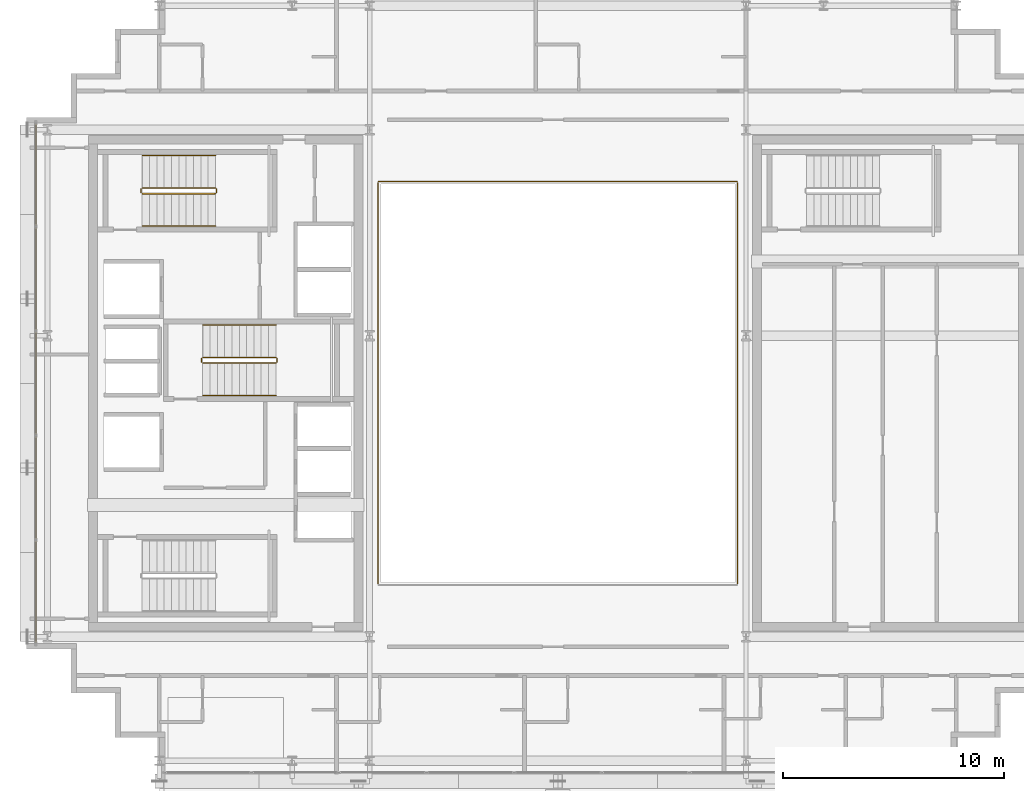
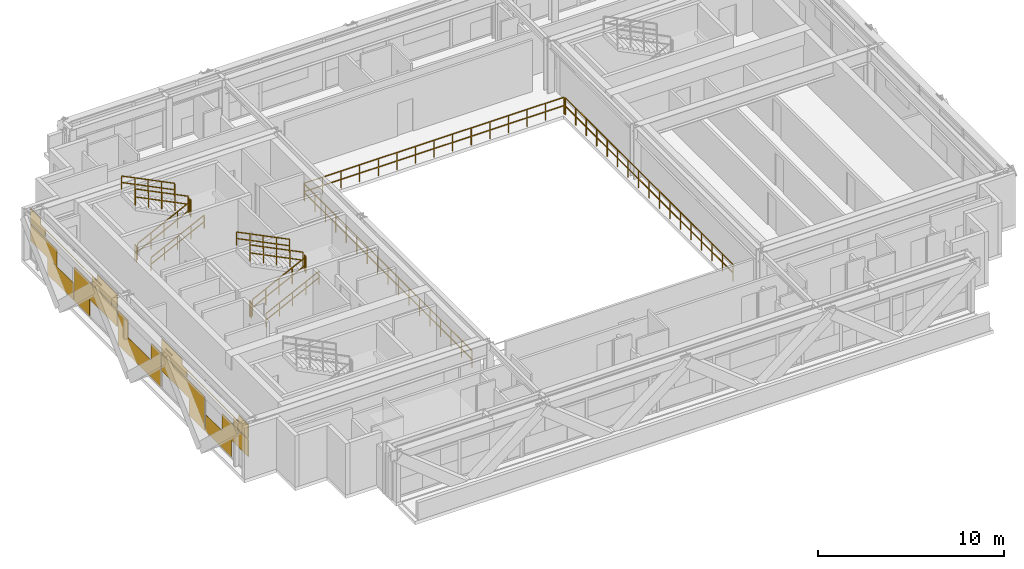
# One storey, part 25 of 27: 15 railings, 1 covering.
"""IFC4 building model written with IfcOpenShell, lengths in metres."""

from ifc_helpers import new_model, si_unit, direction, frame, origin, origin_2d, place, context, subcontext, project, spatial, rectangle, extrude, material, layer, layer_set, type_object, element, save


model = new_model("IFC4")

# Units and contexts
model_context = context("Model", 3, precision=1e-05, world=origin(), true_north=direction((0.0, 1.0)))
body_context = subcontext(model_context, "Body", "Model", "MODEL_VIEW")
ifc_project = project(units=[si_unit("LENGTHUNIT", "METRE"), si_unit("AREAUNIT", "SQUARE_METRE"), si_unit("VOLUMEUNIT", "CUBIC_METRE"), si_unit("PLANEANGLEUNIT", "RADIAN"), si_unit("MASSUNIT", "GRAM", prefix="KILO")], contexts=[model_context])

# Site, building, storey
site_placement = place(None, origin())
site = spatial("IfcSite", under=ifc_project, at=site_placement, CompositionType="ELEMENT")
building_placement = place(site_placement, origin())
building = spatial("IfcBuilding", under=site, at=building_placement, Name="Ocotamira Hotel", CompositionType="ELEMENT")
storey_placement = place(building_placement, frame((0.0, 0.0, 232.800048828125)))
storey = spatial("IfcBuildingStorey", under=building, at=storey_placement, Name="L58", CompositionType="ELEMENT", Elevation=232.800048828125)

# Covering
ifc_material_1 = material(Name="Insulated pale-metal aluminium spandrel panel", Category="aluminium")
ifc_layer = layer(ifc_material_1, 0.044921875)
ifc_layer_set = layer_set([ifc_layer], Name="Insulated pale-metal aluminium spandrel panel")
covering_type = type_object("IfcCoveringType", Name="COV-INFILL-45", PredefinedType="CLADDING", material=ifc_layer_set)
covering_placement = place(storey_placement, origin())
element("IfcCovering", 1, at=covering_placement, inside=storey, type_object=covering_type, Name="L58 Curtain Wall Infill CW-5 CW-L58-W", PredefinedType="CLADDING", context=body_context, shape_type="SweptSolid", body=[
    extrude(rectangle(XDim=2.831787109375, YDim=0.044921875, at=origin_2d()), frame((8.419921875, 15.6962890625, 1.19384765625), z_axis=(0.0, 0.0, 1.0), x_axis=(0.0, 1.0, 0.0)), (0.0, 0.0, 1.0), 1.117919921875),
    extrude(rectangle(XDim=2.786376953125, YDim=0.044921875, at=origin_2d()), frame((8.419921875, 17.486328125, 0.0751953125), z_axis=(0.0, 0.0, 1.0), x_axis=(0.0, 1.0, 0.0)), (0.0, 0.0, 1.0), 1.117919921875),
    extrude(rectangle(XDim=1.56640625, YDim=0.044921875, at=origin_2d()), frame((8.419921875, 15.063720703125, 2.387939453125), z_axis=(0.0, 0.0, 1.0), x_axis=(0.0, 1.0, 0.0)), (0.0, 0.0, 1.0), 0.4697265625),
    extrude(rectangle(XDim=4.59912109375, YDim=0.044921875, at=origin_2d()), frame((8.419921875, 16.580078125, 2.858642578125), z_axis=(0.0, 0.0, 1.0), x_axis=(0.0, 1.0, 0.0)), (0.0, 0.0, 1.0), 0.033203125),
    extrude(rectangle(XDim=1.03076171875, YDim=0.044921875, at=origin_2d()), frame((8.419921875, 14.7958984375, 2.892822265625), z_axis=(0.0, 0.0, 1.0), x_axis=(0.0, 1.0, 0.0)), (0.0, 0.0, 1.0), 0.41162109375),
    extrude(rectangle(XDim=1.6796875, YDim=0.044921875, at=origin_2d()), frame((8.419921875, 19.80029296875, 0.0751953125), z_axis=(0.0, 0.0, 1.0), x_axis=(0.0, 1.0, 0.0)), (0.0, 0.0, 1.0), 1.117919921875),
    extrude(rectangle(XDim=4.638916015625, YDim=0.044921875, at=origin_2d()), frame((8.419921875, 21.280029296875, 1.19384765625), z_axis=(0.0, 0.0, 1.0), x_axis=(0.0, 1.0, 0.0)), (0.0, 0.0, 1.0), 1.117919921875),
    extrude(rectangle(XDim=4.638916015625, YDim=0.044921875, at=origin_2d()), frame((8.419921875, 21.280029296875, 2.858642578125), z_axis=(0.0, 0.0, 1.0), x_axis=(0.0, 1.0, 0.0)), (0.0, 0.0, 1.0), 0.033203125),
    extrude(rectangle(XDim=2.712890625, YDim=0.044921875, at=origin_2d()), frame((8.419921875, 22.242919921875, 2.387939453125), z_axis=(0.0, 0.0, 1.0), x_axis=(0.0, 1.0, 0.0)), (0.0, 0.0, 1.0), 0.4697265625),
    extrude(rectangle(XDim=2.177490234375, YDim=0.044921875, at=origin_2d()), frame((8.419921875, 22.5107421875, 2.892822265625), z_axis=(0.0, 0.0, 1.0), x_axis=(0.0, 1.0, 0.0)), (0.0, 0.0, 1.0), 0.41162109375),
    extrude(rectangle(XDim=4.638916015625, YDim=0.044921875, at=origin_2d()), frame((8.419921875, 26.0, 0.0751953125), z_axis=(0.0, 0.0, 1.0), x_axis=(0.0, 1.0, 0.0)), (0.0, 0.0, 1.0), 1.117919921875),
    extrude(rectangle(XDim=1.065185546875, YDim=0.044921875, at=origin_2d()), frame((8.419921875, 24.213134765625, 1.19384765625), z_axis=(0.0, 0.0, 1.0), x_axis=(0.0, 1.0, 0.0)), (0.0, 0.0, 1.0), 1.117919921875),
    extrude(rectangle(XDim=1.065185546875, YDim=0.044921875, at=origin_2d()), frame((8.419921875, 27.786865234375, 1.19384765625), z_axis=(0.0, 0.0, 1.0), x_axis=(0.0, 1.0, 0.0)), (0.0, 0.0, 1.0), 1.117919921875),
    extrude(rectangle(XDim=4.638916015625, YDim=0.044921875, at=origin_2d()), frame((8.419921875, 30.719970703125, 1.19384765625), z_axis=(0.0, 0.0, 1.0), x_axis=(0.0, 1.0, 0.0)), (0.0, 0.0, 1.0), 1.117919921875),
    extrude(rectangle(XDim=1.6796875, YDim=0.044921875, at=origin_2d()), frame((8.419921875, 32.19970703125, 0.0751953125), z_axis=(0.0, 0.0, 1.0), x_axis=(0.0, 1.0, 0.0)), (0.0, 0.0, 1.0), 1.117919921875),
    extrude(rectangle(XDim=2.712890625, YDim=0.044921875, at=origin_2d()), frame((8.419921875, 29.757080078125, 2.387939453125), z_axis=(0.0, 0.0, 1.0), x_axis=(0.0, 1.0, 0.0)), (0.0, 0.0, 1.0), 0.4697265625),
    extrude(rectangle(XDim=4.638916015625, YDim=0.044921875, at=origin_2d()), frame((8.419921875, 30.719970703125, 2.858642578125), z_axis=(0.0, 0.0, 1.0), x_axis=(0.0, 1.0, 0.0)), (0.0, 0.0, 1.0), 0.033203125),
    extrude(rectangle(XDim=2.177490234375, YDim=0.044921875, at=origin_2d()), frame((8.419921875, 29.4892578125, 2.892822265625), z_axis=(0.0, 0.0, 1.0), x_axis=(0.0, 1.0, 0.0)), (0.0, 0.0, 1.0), 0.41162109375),
    extrude(rectangle(XDim=2.786376953125, YDim=0.044921875, at=origin_2d()), frame((8.419921875, 34.513671875, 0.0751953125), z_axis=(0.0, 0.0, 1.0), x_axis=(0.0, 1.0, 0.0)), (0.0, 0.0, 1.0), 1.117919921875),
    extrude(rectangle(XDim=2.831787109375, YDim=0.044921875, at=origin_2d()), frame((8.419921875, 36.3037109375, 1.19384765625), z_axis=(0.0, 0.0, 1.0), x_axis=(0.0, 1.0, 0.0)), (0.0, 0.0, 1.0), 1.117919921875),
    extrude(rectangle(XDim=4.59912109375, YDim=0.044921875, at=origin_2d()), frame((8.419921875, 35.419921875, 2.858642578125), z_axis=(0.0, 0.0, 1.0), x_axis=(0.0, 1.0, 0.0)), (0.0, 0.0, 1.0), 0.033203125),
    extrude(rectangle(XDim=1.56640625, YDim=0.044921875, at=origin_2d()), frame((8.419921875, 36.936279296875, 2.387939453125), z_axis=(0.0, 0.0, 1.0), x_axis=(0.0, 1.0, 0.0)), (0.0, 0.0, 1.0), 0.4697265625),
    extrude(rectangle(XDim=1.03076171875, YDim=0.044921875, at=origin_2d()), frame((8.419921875, 37.2041015625, 2.892822265625), z_axis=(0.0, 0.0, 1.0), x_axis=(0.0, 1.0, 0.0)), (0.0, 0.0, 1.0), 0.41162109375),
])

# Railings
ifc_material_2 = material(Name="Painted steel stair guardrail", Category="steel")
railing_type_1 = type_object("IfcRailingType", Name="RL-EDGE-1150", PredefinedType="GUARDRAIL", material=ifc_material_2)
railing_1_placement = place(storey_placement, frame((40.1201171875, 16.9599609375, 0.0)))
element("IfcRailing", 2, at=railing_1_placement, inside=storey, type_object=railing_type_1, Name="L58 Central Atrium Edge Guardrail E", PredefinedType="GUARDRAIL", context=body_context, shape_type="SweptSolid", body=[
    extrude(rectangle(XDim=0.048095703125, YDim=0.048095703125, at=origin_2d()), frame((0.0, 0.0, 1.1259765625), z_axis=(0.0, 1.0, 0.0), x_axis=(-1.0, 0.0, 0.0)), (0.0, 0.0, 1.0), 18.080078125),
    extrude(rectangle(XDim=0.048095703125, YDim=0.048095703125, at=origin_2d()), frame((0.0, 0.0, 0.574951171875), z_axis=(0.0, 1.0, 0.0), x_axis=(-1.0, 0.0, 0.0)), (0.0, 0.0, 1.0), 18.080078125),
    extrude(rectangle(XDim=0.0419921875, YDim=0.0419921875, at=origin_2d()), origin(), (0.0, 0.0, 1.0), 1.101806640625),
    extrude(rectangle(XDim=0.0419921875, YDim=0.0419921875, at=origin_2d()), frame((0.0, 1.1298828125, 0.0)), (0.0, 0.0, 1.0), 1.101806640625),
    extrude(rectangle(XDim=0.0419921875, YDim=0.0419921875, at=origin_2d()), frame((0.0, 2.260009765625, 0.0)), (0.0, 0.0, 1.0), 1.101806640625),
    extrude(rectangle(XDim=0.0419921875, YDim=0.0419921875, at=origin_2d()), frame((0.0, 3.39013671875, 0.0)), (0.0, 0.0, 1.0), 1.101806640625),
    extrude(rectangle(XDim=0.0419921875, YDim=0.0419921875, at=origin_2d()), frame((0.0, 4.52001953125, 0.0)), (0.0, 0.0, 1.0), 1.101806640625),
    extrude(rectangle(XDim=0.0419921875, YDim=0.0419921875, at=origin_2d()), frame((0.0, 5.64990234375, 0.0)), (0.0, 0.0, 1.0), 1.101806640625),
    extrude(rectangle(XDim=0.0419921875, YDim=0.0419921875, at=origin_2d()), frame((0.0, 6.780029296875, 0.0)), (0.0, 0.0, 1.0), 1.101806640625),
    extrude(rectangle(XDim=0.0419921875, YDim=0.0419921875, at=origin_2d()), frame((0.0, 7.91015625, 0.0)), (0.0, 0.0, 1.0), 1.101806640625),
    extrude(rectangle(XDim=0.0419921875, YDim=0.0419921875, at=origin_2d()), frame((0.0, 9.0400390625, 0.0)), (0.0, 0.0, 1.0), 1.101806640625),
    extrude(rectangle(XDim=0.0419921875, YDim=0.0419921875, at=origin_2d()), frame((0.0, 10.169921875, 0.0)), (0.0, 0.0, 1.0), 1.101806640625),
    extrude(rectangle(XDim=0.0419921875, YDim=0.0419921875, at=origin_2d()), frame((0.0, 11.300048828125, 0.0)), (0.0, 0.0, 1.0), 1.101806640625),
    extrude(rectangle(XDim=0.0419921875, YDim=0.0419921875, at=origin_2d()), frame((0.0, 12.43017578125, 0.0)), (0.0, 0.0, 1.0), 1.101806640625),
    extrude(rectangle(XDim=0.0419921875, YDim=0.0419921875, at=origin_2d()), frame((0.0, 13.56005859375, 0.0)), (0.0, 0.0, 1.0), 1.101806640625),
    extrude(rectangle(XDim=0.0419921875, YDim=0.0419921875, at=origin_2d()), frame((0.0, 14.68994140625, 0.0)), (0.0, 0.0, 1.0), 1.101806640625),
    extrude(rectangle(XDim=0.0419921875, YDim=0.0419921875, at=origin_2d()), frame((0.0, 15.820068359375, 0.0)), (0.0, 0.0, 1.0), 1.101806640625),
    extrude(rectangle(XDim=0.0419921875, YDim=0.0419921875, at=origin_2d()), frame((0.0, 16.9501953125, 0.0)), (0.0, 0.0, 1.0), 1.101806640625),
    extrude(rectangle(XDim=0.0419921875, YDim=0.0419921875, at=origin_2d()), frame((0.0, 18.080078125, 0.0)), (0.0, 0.0, 1.0), 1.101806640625),
])
railing_2_placement = place(storey_placement, frame((40.10009765625, 35.1201171875, 0.0)))
element("IfcRailing", 3, at=railing_2_placement, inside=storey, type_object=railing_type_1, Name="L58 Central Atrium Edge Guardrail N", PredefinedType="GUARDRAIL", context=body_context, shape_type="SweptSolid", body=[
    extrude(rectangle(XDim=0.048095703125, YDim=0.048095703125, at=origin_2d()), frame((0.0, 0.0, 1.1259765625), z_axis=(-1.0, 0.0, 0.0), x_axis=(0.0, -1.0, 0.0)), (0.0, 0.0, 1.0), 16.2001953125),
    extrude(rectangle(XDim=0.048095703125, YDim=0.048095703125, at=origin_2d()), frame((0.0, 0.0, 0.574951171875), z_axis=(-1.0, 0.0, 0.0), x_axis=(0.0, -1.0, 0.0)), (0.0, 0.0, 1.0), 16.2001953125),
    extrude(rectangle(XDim=0.0419921875, YDim=0.0419921875, at=origin_2d()), origin(), (0.0, 0.0, 1.0), 1.101806640625),
    extrude(rectangle(XDim=0.0419921875, YDim=0.0419921875, at=origin_2d()), frame((-1.1572265625, 0.0, 0.0)), (0.0, 0.0, 1.0), 1.101806640625),
    extrude(rectangle(XDim=0.0419921875, YDim=0.0419921875, at=origin_2d()), frame((-2.314208984375, 0.0, 0.0)), (0.0, 0.0, 1.0), 1.101806640625),
    extrude(rectangle(XDim=0.0419921875, YDim=0.0419921875, at=origin_2d()), frame((-3.471435546875, 0.0, 0.0)), (0.0, 0.0, 1.0), 1.101806640625),
    extrude(rectangle(XDim=0.0419921875, YDim=0.0419921875, at=origin_2d()), frame((-4.628662109375, 0.0, 0.0)), (0.0, 0.0, 1.0), 1.101806640625),
    extrude(rectangle(XDim=0.0419921875, YDim=0.0419921875, at=origin_2d()), frame((-5.785888671875, 0.0, 0.0)), (0.0, 0.0, 1.0), 1.101806640625),
    extrude(rectangle(XDim=0.0419921875, YDim=0.0419921875, at=origin_2d()), frame((-6.94287109375, 0.0, 0.0)), (0.0, 0.0, 1.0), 1.101806640625),
    extrude(rectangle(XDim=0.0419921875, YDim=0.0419921875, at=origin_2d()), frame((-8.10009765625, 0.0, 0.0)), (0.0, 0.0, 1.0), 1.101806640625),
    extrude(rectangle(XDim=0.0419921875, YDim=0.0419921875, at=origin_2d()), frame((-9.25732421875, 0.0, 0.0)), (0.0, 0.0, 1.0), 1.101806640625),
    extrude(rectangle(XDim=0.0419921875, YDim=0.0419921875, at=origin_2d()), frame((-10.414306640625, 0.0, 0.0)), (0.0, 0.0, 1.0), 1.101806640625),
    extrude(rectangle(XDim=0.0419921875, YDim=0.0419921875, at=origin_2d()), frame((-11.571533203125, 0.0, 0.0)), (0.0, 0.0, 1.0), 1.101806640625),
    extrude(rectangle(XDim=0.0419921875, YDim=0.0419921875, at=origin_2d()), frame((-12.728759765625, 0.0, 0.0)), (0.0, 0.0, 1.0), 1.101806640625),
    extrude(rectangle(XDim=0.0419921875, YDim=0.0419921875, at=origin_2d()), frame((-13.885986328125, 0.0, 0.0)), (0.0, 0.0, 1.0), 1.101806640625),
    extrude(rectangle(XDim=0.0419921875, YDim=0.0419921875, at=origin_2d()), frame((-15.04296875, 0.0, 0.0)), (0.0, 0.0, 1.0), 1.101806640625),
    extrude(rectangle(XDim=0.0419921875, YDim=0.0419921875, at=origin_2d()), frame((-16.2001953125, 0.0, 0.0)), (0.0, 0.0, 1.0), 1.101806640625),
])
railing_3_placement = place(storey_placement, frame((23.8798828125, 35.0400390625, 0.0)))
element("IfcRailing", 4, at=railing_3_placement, inside=storey, type_object=railing_type_1, Name="L58 Central Atrium Edge Guardrail W", PredefinedType="GUARDRAIL", context=body_context, shape_type="SweptSolid", body=[
    extrude(rectangle(XDim=0.048095703125, YDim=0.048095703125, at=origin_2d()), frame((0.0, 0.0, 1.1259765625), z_axis=(0.0, -1.0, 0.0), x_axis=(1.0, 0.0, 0.0)), (0.0, 0.0, 1.0), 18.080078125),
    extrude(rectangle(XDim=0.048095703125, YDim=0.048095703125, at=origin_2d()), frame((0.0, 0.0, 0.574951171875), z_axis=(0.0, -1.0, 0.0), x_axis=(1.0, 0.0, 0.0)), (0.0, 0.0, 1.0), 18.080078125),
    extrude(rectangle(XDim=0.0419921875, YDim=0.0419921875, at=origin_2d()), origin(), (0.0, 0.0, 1.0), 1.101806640625),
    extrude(rectangle(XDim=0.0419921875, YDim=0.0419921875, at=origin_2d()), frame((0.0, -1.1298828125, 0.0)), (0.0, 0.0, 1.0), 1.101806640625),
    extrude(rectangle(XDim=0.0419921875, YDim=0.0419921875, at=origin_2d()), frame((0.0, -2.260009765625, 0.0)), (0.0, 0.0, 1.0), 1.101806640625),
    extrude(rectangle(XDim=0.0419921875, YDim=0.0419921875, at=origin_2d()), frame((0.0, -3.39013671875, 0.0)), (0.0, 0.0, 1.0), 1.101806640625),
    extrude(rectangle(XDim=0.0419921875, YDim=0.0419921875, at=origin_2d()), frame((0.0, -4.52001953125, 0.0)), (0.0, 0.0, 1.0), 1.101806640625),
    extrude(rectangle(XDim=0.0419921875, YDim=0.0419921875, at=origin_2d()), frame((0.0, -5.64990234375, 0.0)), (0.0, 0.0, 1.0), 1.101806640625),
    extrude(rectangle(XDim=0.0419921875, YDim=0.0419921875, at=origin_2d()), frame((0.0, -6.780029296875, 0.0)), (0.0, 0.0, 1.0), 1.101806640625),
    extrude(rectangle(XDim=0.0419921875, YDim=0.0419921875, at=origin_2d()), frame((0.0, -7.91015625, 0.0)), (0.0, 0.0, 1.0), 1.101806640625),
    extrude(rectangle(XDim=0.0419921875, YDim=0.0419921875, at=origin_2d()), frame((0.0, -9.0400390625, 0.0)), (0.0, 0.0, 1.0), 1.101806640625),
    extrude(rectangle(XDim=0.0419921875, YDim=0.0419921875, at=origin_2d()), frame((0.0, -10.169921875, 0.0)), (0.0, 0.0, 1.0), 1.101806640625),
    extrude(rectangle(XDim=0.0419921875, YDim=0.0419921875, at=origin_2d()), frame((0.0, -11.300048828125, 0.0)), (0.0, 0.0, 1.0), 1.101806640625),
    extrude(rectangle(XDim=0.0419921875, YDim=0.0419921875, at=origin_2d()), frame((0.0, -12.43017578125, 0.0)), (0.0, 0.0, 1.0), 1.101806640625),
    extrude(rectangle(XDim=0.0419921875, YDim=0.0419921875, at=origin_2d()), frame((0.0, -13.56005859375, 0.0)), (0.0, 0.0, 1.0), 1.101806640625),
    extrude(rectangle(XDim=0.0419921875, YDim=0.0419921875, at=origin_2d()), frame((0.0, -14.68994140625, 0.0)), (0.0, 0.0, 1.0), 1.101806640625),
    extrude(rectangle(XDim=0.0419921875, YDim=0.0419921875, at=origin_2d()), frame((0.0, -15.820068359375, 0.0)), (0.0, 0.0, 1.0), 1.101806640625),
    extrude(rectangle(XDim=0.0419921875, YDim=0.0419921875, at=origin_2d()), frame((0.0, -16.9501953125, 0.0)), (0.0, 0.0, 1.0), 1.101806640625),
    extrude(rectangle(XDim=0.0419921875, YDim=0.0419921875, at=origin_2d()), frame((0.0, -18.080078125, 0.0)), (0.0, 0.0, 1.0), 1.101806640625),
])
ifc_material_3 = material(Name="Brushed stainless steel handrail", Category="steel")
railing_type_2 = type_object("IfcRailingType", Name="RL-HAND-900", PredefinedType="HANDRAIL", material=ifc_material_3)
railing_4_placement = place(storey_placement, frame((13.22998046875, 33.10009765625, 0.3271484375)))
element("IfcRailing", 5, at=railing_4_placement, inside=storey, type_object=railing_type_2, Name="L58 ST-2 stair handrail 1", PredefinedType="HANDRAIL", context=body_context, shape_type="SweptSolid", body=[
    extrude(rectangle(XDim=0.048095703125, YDim=0.048095703125, at=origin_2d()), frame((0.0, 0.0, 0.8759765625), z_axis=(0.895893744519, 0.0, 0.4442683857), x_axis=(0.0, 1.0, 0.0)), (0.0, 0.0, 1.0), 3.68359375),
    extrude(rectangle(XDim=0.048095703125, YDim=0.048095703125, at=origin_2d()), frame((0.0, 0.0, 0.449951171875), z_axis=(0.895893744519, 0.0, 0.4442683857), x_axis=(0.0, 1.0, 0.0)), (0.0, 0.0, 1.0), 3.68359375),
    extrude(rectangle(XDim=0.0419921875, YDim=0.0419921875, at=origin_2d()), origin(), (0.0, 0.0, 1.0), 0.851806640625),
    extrude(rectangle(XDim=0.0419921875, YDim=0.0419921875, at=origin_2d()), frame((0.824951171875, 0.0, 0.4091796875)), (0.0, 0.0, 1.0), 0.851806640625),
    extrude(rectangle(XDim=0.0419921875, YDim=0.0419921875, at=origin_2d()), frame((1.64990234375, 0.0, 0.818359375)), (0.0, 0.0, 1.0), 0.851806640625),
    extrude(rectangle(XDim=0.0419921875, YDim=0.0419921875, at=origin_2d()), frame((2.47509765625, 0.0, 1.227294921875)), (0.0, 0.0, 1.0), 0.851806640625),
    extrude(rectangle(XDim=0.0419921875, YDim=0.0419921875, at=origin_2d()), frame((3.300048828125, 0.0, 1.636474609375)), (0.0, 0.0, 1.0), 0.851806640625),
])
railing_5_placement = place(storey_placement, frame((16.530029296875, 36.280029296875, 2.127197265625)))
element("IfcRailing", 6, at=railing_5_placement, inside=storey, type_object=railing_type_2, Name="L58 ST-2 stair handrail 2", PredefinedType="HANDRAIL", context=body_context, shape_type="SweptSolid", body=[
    extrude(rectangle(XDim=0.048095703125, YDim=0.048095703125, at=origin_2d()), frame((0.0, 0.0, 0.8759765625), z_axis=(-0.895893744519, 0.0, 0.4442683857), x_axis=(0.0, -1.0, 0.0)), (0.0, 0.0, 1.0), 3.68359375),
    extrude(rectangle(XDim=0.048095703125, YDim=0.048095703125, at=origin_2d()), frame((0.0, 0.0, 0.449951171875), z_axis=(-0.895893744519, 0.0, 0.4442683857), x_axis=(0.0, -1.0, 0.0)), (0.0, 0.0, 1.0), 3.68359375),
    extrude(rectangle(XDim=0.0419921875, YDim=0.0419921875, at=origin_2d()), origin(), (0.0, 0.0, 1.0), 0.851806640625),
    extrude(rectangle(XDim=0.0419921875, YDim=0.0419921875, at=origin_2d()), frame((-0.824951171875, 0.0, 0.4091796875)), (0.0, 0.0, 1.0), 0.851806640625),
    extrude(rectangle(XDim=0.0419921875, YDim=0.0419921875, at=origin_2d()), frame((-1.64990234375, 0.0, 0.818359375)), (0.0, 0.0, 1.0), 0.851806640625),
    extrude(rectangle(XDim=0.0419921875, YDim=0.0419921875, at=origin_2d()), frame((-2.47509765625, 0.0, 1.227294921875)), (0.0, 0.0, 1.0), 0.851806640625),
    extrude(rectangle(XDim=0.0419921875, YDim=0.0419921875, at=origin_2d()), frame((-3.300048828125, 0.0, 1.636474609375)), (0.0, 0.0, 1.0), 0.851806640625),
])
railing_6_placement = place(storey_placement, frame((15.9599609375, 25.449951171875, 0.3271484375)))
element("IfcRailing", 7, at=railing_6_placement, inside=storey, type_object=railing_type_2, Name="L58 ST-3 stair handrail 1", PredefinedType="HANDRAIL", context=body_context, shape_type="SweptSolid", body=[
    extrude(rectangle(XDim=0.048095703125, YDim=0.048095703125, at=origin_2d()), frame((0.0, 0.0, 0.8759765625), z_axis=(0.895893744519, 0.0, 0.4442683857), x_axis=(0.0, 1.0, 0.0)), (0.0, 0.0, 1.0), 3.68359375),
    extrude(rectangle(XDim=0.048095703125, YDim=0.048095703125, at=origin_2d()), frame((0.0, 0.0, 0.449951171875), z_axis=(0.895893744519, 0.0, 0.4442683857), x_axis=(0.0, 1.0, 0.0)), (0.0, 0.0, 1.0), 3.68359375),
    extrude(rectangle(XDim=0.0419921875, YDim=0.0419921875, at=origin_2d()), origin(), (0.0, 0.0, 1.0), 0.851806640625),
    extrude(rectangle(XDim=0.0419921875, YDim=0.0419921875, at=origin_2d()), frame((0.824951171875, 0.0, 0.4091796875)), (0.0, 0.0, 1.0), 0.851806640625),
    extrude(rectangle(XDim=0.0419921875, YDim=0.0419921875, at=origin_2d()), frame((1.64990234375, 0.0, 0.818359375)), (0.0, 0.0, 1.0), 0.851806640625),
    extrude(rectangle(XDim=0.0419921875, YDim=0.0419921875, at=origin_2d()), frame((2.47509765625, 0.0, 1.227294921875)), (0.0, 0.0, 1.0), 0.851806640625),
    extrude(rectangle(XDim=0.0419921875, YDim=0.0419921875, at=origin_2d()), frame((3.300048828125, 0.0, 1.636474609375)), (0.0, 0.0, 1.0), 0.851806640625),
])
railing_7_placement = place(storey_placement, frame((19.260009765625, 28.6298828125, 2.127197265625)))
element("IfcRailing", 8, at=railing_7_placement, inside=storey, type_object=railing_type_2, Name="L58 ST-3 stair handrail 2", PredefinedType="HANDRAIL", context=body_context, shape_type="SweptSolid", body=[
    extrude(rectangle(XDim=0.048095703125, YDim=0.048095703125, at=origin_2d()), frame((0.0, 0.0, 0.8759765625), z_axis=(-0.895893744519, 0.0, 0.4442683857), x_axis=(0.0, -1.0, 0.0)), (0.0, 0.0, 1.0), 3.68359375),
    extrude(rectangle(XDim=0.048095703125, YDim=0.048095703125, at=origin_2d()), frame((0.0, 0.0, 0.449951171875), z_axis=(-0.895893744519, 0.0, 0.4442683857), x_axis=(0.0, -1.0, 0.0)), (0.0, 0.0, 1.0), 3.68359375),
    extrude(rectangle(XDim=0.0419921875, YDim=0.0419921875, at=origin_2d()), origin(), (0.0, 0.0, 1.0), 0.851806640625),
    extrude(rectangle(XDim=0.0419921875, YDim=0.0419921875, at=origin_2d()), frame((-0.824951171875, 0.0, 0.4091796875)), (0.0, 0.0, 1.0), 0.851806640625),
    extrude(rectangle(XDim=0.0419921875, YDim=0.0419921875, at=origin_2d()), frame((-1.64990234375, 0.0, 0.818359375)), (0.0, 0.0, 1.0), 0.851806640625),
    extrude(rectangle(XDim=0.0419921875, YDim=0.0419921875, at=origin_2d()), frame((-2.47509765625, 0.0, 1.227294921875)), (0.0, 0.0, 1.0), 0.851806640625),
    extrude(rectangle(XDim=0.0419921875, YDim=0.0419921875, at=origin_2d()), frame((-3.300048828125, 0.0, 1.636474609375)), (0.0, 0.0, 1.0), 0.851806640625),
])
railing_type_3 = type_object("IfcRailingType", Name="RL-STAIR-1100", PredefinedType="GUARDRAIL", material=ifc_material_2)
railing_8_placement = place(storey_placement, frame((13.22998046875, 34.56005859375, 0.16357421875)))
element("IfcRailing", 9, at=railing_8_placement, inside=storey, type_object=railing_type_3, Name="L58 ST-2 stair guard 1", PredefinedType="GUARDRAIL", context=body_context, shape_type="SweptSolid", body=[
    extrude(rectangle(XDim=0.048095703125, YDim=0.048095703125, at=origin_2d()), frame((0.0, 0.0, 1.076171875), z_axis=(0.895893744519, 0.0, 0.4442683857), x_axis=(0.0, 1.0, 0.0)), (0.0, 0.0, 1.0), 3.68359375),
    extrude(rectangle(XDim=0.048095703125, YDim=0.048095703125, at=origin_2d()), frame((0.0, 0.0, 0.550048828125), z_axis=(0.895893744519, 0.0, 0.4442683857), x_axis=(0.0, 1.0, 0.0)), (0.0, 0.0, 1.0), 3.68359375),
    extrude(rectangle(XDim=0.0419921875, YDim=0.0419921875, at=origin_2d()), origin(), (0.0, 0.0, 1.0), 1.052001953125),
    extrude(rectangle(XDim=0.0419921875, YDim=0.0419921875, at=origin_2d()), frame((0.824951171875, 0.0, 0.4091796875)), (0.0, 0.0, 1.0), 1.052001953125),
    extrude(rectangle(XDim=0.0419921875, YDim=0.0419921875, at=origin_2d()), frame((1.64990234375, 0.0, 0.818359375)), (0.0, 0.0, 1.0), 1.052001953125),
    extrude(rectangle(XDim=0.0419921875, YDim=0.0419921875, at=origin_2d()), frame((2.47509765625, 0.0, 1.227294921875)), (0.0, 0.0, 1.0), 1.052001953125),
    extrude(rectangle(XDim=0.0419921875, YDim=0.0419921875, at=origin_2d()), frame((3.300048828125, 0.0, 1.636474609375)), (0.0, 0.0, 1.0), 1.052001953125),
])
railing_9_placement = place(storey_placement, frame((16.580078125, 34.610107421875, 1.800048828125)))
element("IfcRailing", 10, at=railing_9_placement, inside=storey, type_object=railing_type_3, Name="L58 ST-2 stair guard 2", PredefinedType="GUARDRAIL", context=body_context, shape_type="SweptSolid", body=[
    extrude(rectangle(XDim=0.048095703125, YDim=0.048095703125, at=origin_2d()), frame((0.0, 0.0, 1.076171875), z_axis=(0.0, 1.0, 0.0), x_axis=(-1.0, 0.0, 0.0)), (0.0, 0.0, 1.0), 0.159912109375),
    extrude(rectangle(XDim=0.048095703125, YDim=0.048095703125, at=origin_2d()), frame((0.0, 0.0, 0.550048828125), z_axis=(0.0, 1.0, 0.0), x_axis=(-1.0, 0.0, 0.0)), (0.0, 0.0, 1.0), 0.159912109375),
    extrude(rectangle(XDim=0.0419921875, YDim=0.0419921875, at=origin_2d()), origin(), (0.0, 0.0, 1.0), 1.052001953125),
    extrude(rectangle(XDim=0.0419921875, YDim=0.0419921875, at=origin_2d()), frame((0.0, 0.159912109375, 0.0)), (0.0, 0.0, 1.0), 1.052001953125),
])
railing_10_placement = place(storey_placement, frame((16.530029296875, 34.820068359375, 1.963623046875)))
element("IfcRailing", 11, at=railing_10_placement, inside=storey, type_object=railing_type_3, Name="L58 ST-2 stair guard 3", PredefinedType="GUARDRAIL", context=body_context, shape_type="SweptSolid", body=[
    extrude(rectangle(XDim=0.048095703125, YDim=0.048095703125, at=origin_2d()), frame((0.0, 0.0, 1.076171875), z_axis=(-0.895920123917, 0.0, 0.444215186098), x_axis=(0.0, -1.0, 0.0)), (0.0, 0.0, 1.0), 3.683349609375),
    extrude(rectangle(XDim=0.048095703125, YDim=0.048095703125, at=origin_2d()), frame((0.0, 0.0, 0.550048828125), z_axis=(-0.895920123917, 0.0, 0.444215186098), x_axis=(0.0, -1.0, 0.0)), (0.0, 0.0, 1.0), 3.683349609375),
    extrude(rectangle(XDim=0.0419921875, YDim=0.0419921875, at=origin_2d()), origin(), (0.0, 0.0, 1.0), 1.052001953125),
    extrude(rectangle(XDim=0.0419921875, YDim=0.0419921875, at=origin_2d()), frame((-0.824951171875, 0.0, 0.4091796875)), (0.0, 0.0, 1.0), 1.052001953125),
    extrude(rectangle(XDim=0.0419921875, YDim=0.0419921875, at=origin_2d()), frame((-1.64990234375, 0.0, 0.818115234375)), (0.0, 0.0, 1.0), 1.052001953125),
    extrude(rectangle(XDim=0.0419921875, YDim=0.0419921875, at=origin_2d()), frame((-2.47509765625, 0.0, 1.22705078125)), (0.0, 0.0, 1.0), 1.052001953125),
    extrude(rectangle(XDim=0.0419921875, YDim=0.0419921875, at=origin_2d()), frame((-3.300048828125, 0.0, 1.63623046875)), (0.0, 0.0, 1.0), 1.052001953125),
])
railing_11_placement = place(storey_placement, frame((13.179931640625, 34.610107421875, 0.0)))
element("IfcRailing", 12, at=railing_11_placement, inside=storey, type_object=railing_type_3, Name="L58 ST-2 stair guard 4", PredefinedType="GUARDRAIL", context=body_context, shape_type="SweptSolid", body=[
    extrude(rectangle(XDim=0.048095703125, YDim=0.048095703125, at=origin_2d()), frame((0.0, 0.0, 1.076171875), z_axis=(0.0, 1.0, 0.0), x_axis=(-1.0, 0.0, 0.0)), (0.0, 0.0, 1.0), 0.159912109375),
    extrude(rectangle(XDim=0.048095703125, YDim=0.048095703125, at=origin_2d()), frame((0.0, 0.0, 0.550048828125), z_axis=(0.0, 1.0, 0.0), x_axis=(-1.0, 0.0, 0.0)), (0.0, 0.0, 1.0), 0.159912109375),
    extrude(rectangle(XDim=0.0419921875, YDim=0.0419921875, at=origin_2d()), origin(), (0.0, 0.0, 1.0), 1.052001953125),
    extrude(rectangle(XDim=0.0419921875, YDim=0.0419921875, at=origin_2d()), frame((0.0, 0.159912109375, 0.0)), (0.0, 0.0, 1.0), 1.052001953125),
])
railing_12_placement = place(storey_placement, frame((15.9599609375, 26.909912109375, 0.16357421875)))
element("IfcRailing", 13, at=railing_12_placement, inside=storey, type_object=railing_type_3, Name="L58 ST-3 stair guard 1", PredefinedType="GUARDRAIL", context=body_context, shape_type="SweptSolid", body=[
    extrude(rectangle(XDim=0.048095703125, YDim=0.048095703125, at=origin_2d()), frame((0.0, 0.0, 1.076171875), z_axis=(0.895893744519, 0.0, 0.4442683857), x_axis=(0.0, 1.0, 0.0)), (0.0, 0.0, 1.0), 3.68359375),
    extrude(rectangle(XDim=0.048095703125, YDim=0.048095703125, at=origin_2d()), frame((0.0, 0.0, 0.550048828125), z_axis=(0.895893744519, 0.0, 0.4442683857), x_axis=(0.0, 1.0, 0.0)), (0.0, 0.0, 1.0), 3.68359375),
    extrude(rectangle(XDim=0.0419921875, YDim=0.0419921875, at=origin_2d()), origin(), (0.0, 0.0, 1.0), 1.052001953125),
    extrude(rectangle(XDim=0.0419921875, YDim=0.0419921875, at=origin_2d()), frame((0.824951171875, 0.0, 0.4091796875)), (0.0, 0.0, 1.0), 1.052001953125),
    extrude(rectangle(XDim=0.0419921875, YDim=0.0419921875, at=origin_2d()), frame((1.64990234375, 0.0, 0.818359375)), (0.0, 0.0, 1.0), 1.052001953125),
    extrude(rectangle(XDim=0.0419921875, YDim=0.0419921875, at=origin_2d()), frame((2.47509765625, 0.0, 1.227294921875)), (0.0, 0.0, 1.0), 1.052001953125),
    extrude(rectangle(XDim=0.0419921875, YDim=0.0419921875, at=origin_2d()), frame((3.300048828125, 0.0, 1.636474609375)), (0.0, 0.0, 1.0), 1.052001953125),
])
railing_13_placement = place(storey_placement, frame((19.31005859375, 26.9599609375, 1.800048828125)))
element("IfcRailing", 14, at=railing_13_placement, inside=storey, type_object=railing_type_3, Name="L58 ST-3 stair guard 2", PredefinedType="GUARDRAIL", context=body_context, shape_type="SweptSolid", body=[
    extrude(rectangle(XDim=0.048095703125, YDim=0.048095703125, at=origin_2d()), frame((0.0, 0.0, 1.076171875), z_axis=(0.0, 1.0, 0.0), x_axis=(-1.0, 0.0, 0.0)), (0.0, 0.0, 1.0), 0.16015625),
    extrude(rectangle(XDim=0.048095703125, YDim=0.048095703125, at=origin_2d()), frame((0.0, 0.0, 0.550048828125), z_axis=(0.0, 1.0, 0.0), x_axis=(-1.0, 0.0, 0.0)), (0.0, 0.0, 1.0), 0.16015625),
    extrude(rectangle(XDim=0.0419921875, YDim=0.0419921875, at=origin_2d()), origin(), (0.0, 0.0, 1.0), 1.052001953125),
    extrude(rectangle(XDim=0.0419921875, YDim=0.0419921875, at=origin_2d()), frame((0.0, 0.16015625, 0.0)), (0.0, 0.0, 1.0), 1.052001953125),
])
railing_14_placement = place(storey_placement, frame((19.260009765625, 27.169921875, 1.963623046875)))
element("IfcRailing", 15, at=railing_14_placement, inside=storey, type_object=railing_type_3, Name="L58 ST-3 stair guard 3", PredefinedType="GUARDRAIL", context=body_context, shape_type="SweptSolid", body=[
    extrude(rectangle(XDim=0.048095703125, YDim=0.048095703125, at=origin_2d()), frame((0.0, 0.0, 1.076171875), z_axis=(-0.895920123917, 0.0, 0.444215186098), x_axis=(0.0, -1.0, 0.0)), (0.0, 0.0, 1.0), 3.683349609375),
    extrude(rectangle(XDim=0.048095703125, YDim=0.048095703125, at=origin_2d()), frame((0.0, 0.0, 0.550048828125), z_axis=(-0.895920123917, 0.0, 0.444215186098), x_axis=(0.0, -1.0, 0.0)), (0.0, 0.0, 1.0), 3.683349609375),
    extrude(rectangle(XDim=0.0419921875, YDim=0.0419921875, at=origin_2d()), origin(), (0.0, 0.0, 1.0), 1.052001953125),
    extrude(rectangle(XDim=0.0419921875, YDim=0.0419921875, at=origin_2d()), frame((-0.824951171875, 0.0, 0.4091796875)), (0.0, 0.0, 1.0), 1.052001953125),
    extrude(rectangle(XDim=0.0419921875, YDim=0.0419921875, at=origin_2d()), frame((-1.64990234375, 0.0, 0.818115234375)), (0.0, 0.0, 1.0), 1.052001953125),
    extrude(rectangle(XDim=0.0419921875, YDim=0.0419921875, at=origin_2d()), frame((-2.47509765625, 0.0, 1.22705078125)), (0.0, 0.0, 1.0), 1.052001953125),
    extrude(rectangle(XDim=0.0419921875, YDim=0.0419921875, at=origin_2d()), frame((-3.300048828125, 0.0, 1.63623046875)), (0.0, 0.0, 1.0), 1.052001953125),
])
railing_15_placement = place(storey_placement, frame((15.909912109375, 26.9599609375, 0.0)))
element("IfcRailing", 16, at=railing_15_placement, inside=storey, type_object=railing_type_3, Name="L58 ST-3 stair guard 4", PredefinedType="GUARDRAIL", context=body_context, shape_type="SweptSolid", body=[
    extrude(rectangle(XDim=0.048095703125, YDim=0.048095703125, at=origin_2d()), frame((0.0, 0.0, 1.076171875), z_axis=(0.0, 1.0, 0.0), x_axis=(-1.0, 0.0, 0.0)), (0.0, 0.0, 1.0), 0.16015625),
    extrude(rectangle(XDim=0.048095703125, YDim=0.048095703125, at=origin_2d()), frame((0.0, 0.0, 0.550048828125), z_axis=(0.0, 1.0, 0.0), x_axis=(-1.0, 0.0, 0.0)), (0.0, 0.0, 1.0), 0.16015625),
    extrude(rectangle(XDim=0.0419921875, YDim=0.0419921875, at=origin_2d()), origin(), (0.0, 0.0, 1.0), 1.052001953125),
    extrude(rectangle(XDim=0.0419921875, YDim=0.0419921875, at=origin_2d()), frame((0.0, 0.16015625, 0.0)), (0.0, 0.0, 1.0), 1.052001953125),
])

save(model, "model.ifc")
